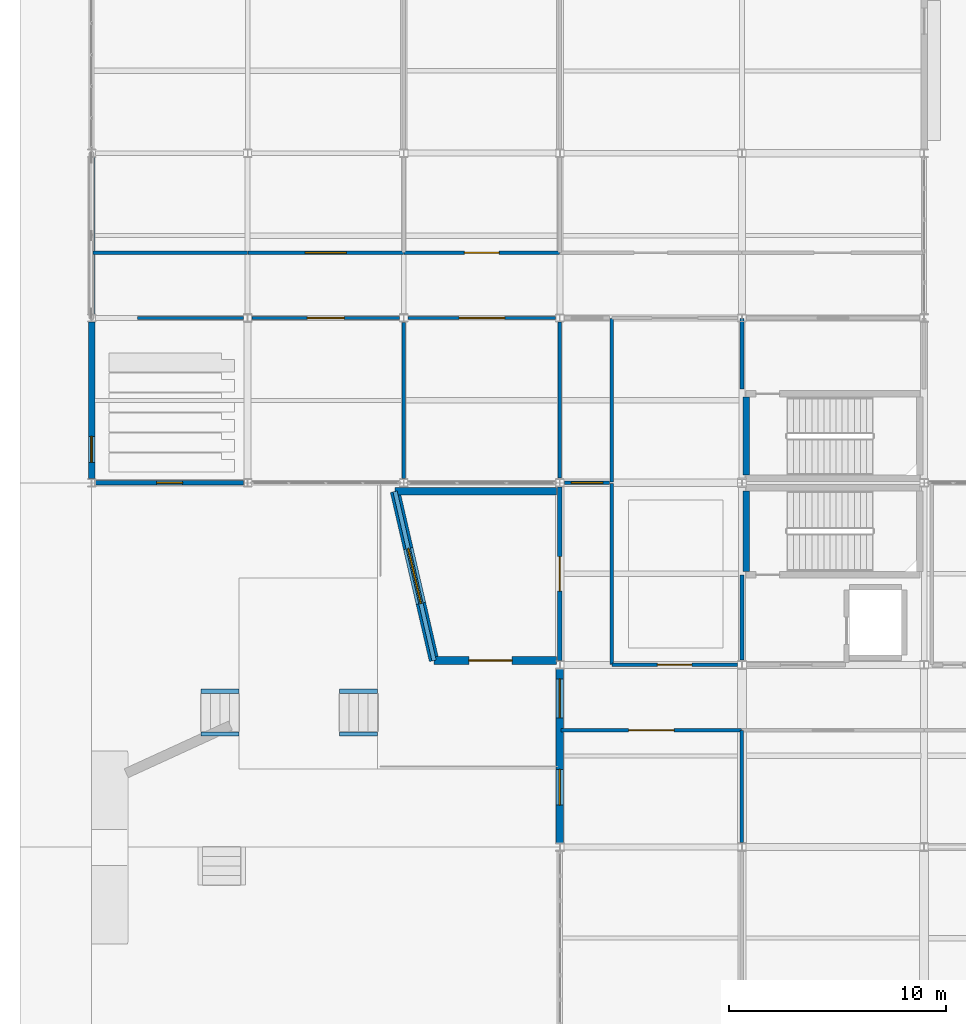
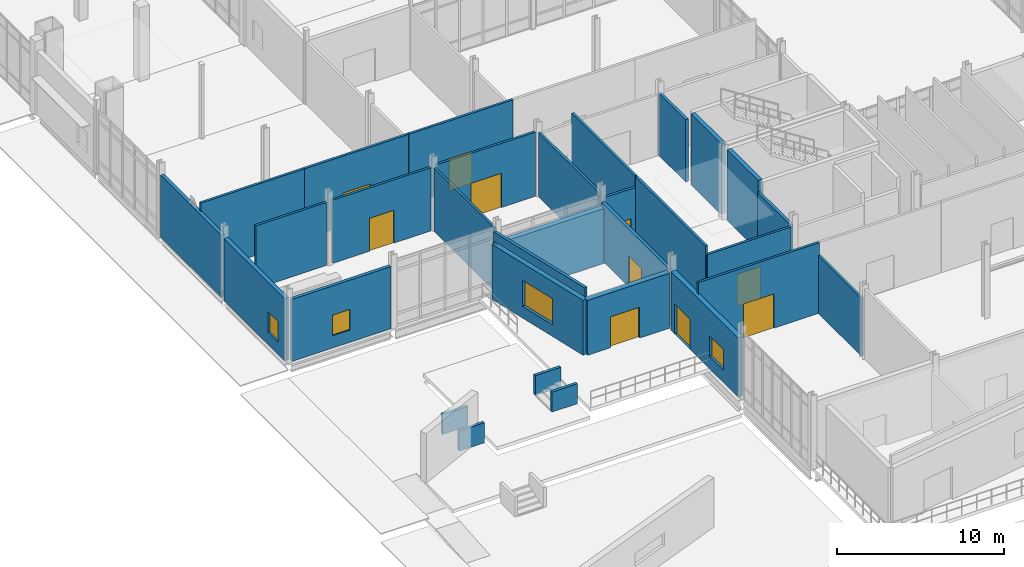
# One storey, part 189 of 229: 31 walls, 10 doors, 4 windows, 14 openings.
"""IFC4 building model written with IfcOpenShell, lengths in metres."""

from ifc_helpers import new_model, si_unit, direction, frame, frame_2d, origin, place, context, subcontext, project, spatial, rectangle, extrude, material, layer, layer_set, type_object, element, fill, save


model = new_model("IFC4")

# Units and contexts
model_context = context("Model", 3, precision=1e-05, world=origin(), true_north=direction((0.0, 1.0)))
body_context = subcontext(model_context, "Body", "Model", "MODEL_VIEW")
ifc_project = project(units=[si_unit("LENGTHUNIT", "METRE"), si_unit("AREAUNIT", "SQUARE_METRE"), si_unit("VOLUMEUNIT", "CUBIC_METRE"), si_unit("PLANEANGLEUNIT", "RADIAN"), si_unit("MASSUNIT", "GRAM", prefix="KILO")], contexts=[model_context])

# Site, building, storey
site_placement = place(None, origin())
site = spatial("IfcSite", under=ifc_project, at=site_placement, CompositionType="ELEMENT")
building_placement = place(site_placement, origin())
building = spatial("IfcBuilding", under=site, at=building_placement, Name="Calvrana Isthmian Art Gallery", CompositionType="ELEMENT")
storey_placement = place(building_placement, origin())
storey = spatial("IfcBuildingStorey", under=building, at=storey_placement, Name="L00", CompositionType="ELEMENT", Elevation=0.0)

# Walls
ifc_material_1 = material(Name="Concrete C40/50", Category="concrete")
ifc_layer_1 = layer(ifc_material_1, 0.300048828125, Name="Concrete C40/50")
ifc_layer_set_1 = layer_set([ifc_layer_1], Name="Concrete C40/50")
wall_type_1 = type_object("IfcWallType", Name="CW-SHAFT-300", PredefinedType="SHEAR", material=ifc_layer_set_1)
wall_1_placement = place(storey_placement, frame((30.18994140625, 42.7099609375, 0.0), z_axis=(0.0, 0.0, 1.0), x_axis=(0.0, 1.0, 0.0)))
element("IfcWall", 1, at=wall_1_placement, inside=storey, type_object=wall_type_1, Name="Core C1 shear wall W L00", PredefinedType="SHEAR", context=body_context, shape_type="SweptSolid", body=[
    extrude(rectangle(XDim=3.719970703125, YDim=0.300048828125, at=frame_2d((1.85986328125, 0.0))), origin(), (0.0, 0.0, 1.0), 5.159912109375),
])
wall_2_placement = place(storey_placement, frame((30.18994140625, 47.14990234375, 0.0), z_axis=(0.0, 0.0, 1.0), x_axis=(0.0, 1.0, 0.0)))
element("IfcWall", 2, at=wall_2_placement, inside=storey, type_object=wall_type_1, Name="Core C7 shear wall W L00", PredefinedType="SHEAR", context=body_context, shape_type="SweptSolid", body=[
    extrude(rectangle(XDim=3.60009765625, YDim=0.300048828125, at=frame_2d((1.800048828125, 0.0))), origin(), (0.0, 0.0, 1.0), 5.159912109375),
])

# Wall, opening, window
ifc_material_2 = material(Name="Precast concrete C40/50", Category="concrete")
ifc_layer_2 = layer(ifc_material_2, 0.219970703125, Name="Precast concrete C40/50")
ifc_layer_set_2 = layer_set([ifc_layer_2], Name="Precast concrete C40/50")
wall_type_2 = type_object("IfcWallType", Name="EW-ACOUST-220", PredefinedType="SOLIDWALL", material=ifc_layer_set_2)
wall_3_placement = place(storey_placement, frame((7.013427734375, 46.800048828125, 0.0), z_axis=(0.0, 0.0, 1.0), x_axis=(-1.0, 0.0, 0.0)))
wall_3 = element("IfcWall", 3, at=wall_3_placement, inside=storey, type_object=wall_type_2, Name="Exterior wall EW-011", PredefinedType="SOLIDWALL", context=body_context, shape_type="SweptSolid", body=[
    extrude(rectangle(XDim=6.826904296875, YDim=0.219970703125, at=frame_2d((3.41357421875, 0.0))), origin(), (0.0, 0.0, 1.0), 4.532958984375),
])
opening_1_placement = place(wall_3_placement, frame((2.8134765625, 0.0, 0.89990234375)))
opening_1 = element("IfcOpeningElement", 4, at=opening_1_placement, cuts=wall_3, Name="Opening W-001", PredefinedType="OPENING", context=body_context, shape_type="SweptSolid", body=[
    extrude(rectangle(XDim=1.199951171875, YDim=1.5, at=frame_2d((0.60009765625, 0.75))), frame((0.0, 0.1201171875, 0.0), z_axis=(0.0, -1.0, 0.0), x_axis=(1.0, 0.0, 0.0)), (0.0, 0.0, 1.0), 0.240478515625),
])
ifc_material_3 = material(Name="Low-E laminated solar glass", Category="glass")
window_type_1 = type_object("IfcWindowType", Name="WN-G01", PartitioningType="SINGLE_PANEL", PredefinedType="WINDOW", material=ifc_material_3)
window_1_placement = place(opening_1_placement, origin())
window_1 = element("IfcWindow", 5, at=window_1_placement, inside=storey, type_object=window_type_1, Name="Facade window W-001", OverallHeight=1.5, OverallWidth=1.199951171875, PartitioningType="SINGLE_PANEL", PredefinedType="WINDOW", context=body_context, shape_type="SweptSolid", body=[
    extrude(rectangle(XDim=1.199951171875, YDim=1.5, at=frame_2d((0.60009765625, 0.75))), frame((0.0, 0.030029296875, 0.0), z_axis=(0.0, -1.0, 0.0), x_axis=(1.0, 0.0, 0.0)), (0.0, 0.0, 1.0), 0.06005859375),
])
fill(opening_1, window_1)

# Wall, opening, door
wall_4_placement = place(storey_placement, frame((21.60009765625, 38.593017578125, 0.0), z_axis=(0.0, 0.0, 1.0), x_axis=(0.0, 1.0, 0.0)))
wall_4 = element("IfcWall", 6, at=wall_4_placement, inside=storey, type_object=wall_type_2, Name="Exterior wall EW-035", PredefinedType="SOLIDWALL", context=body_context, shape_type="SweptSolid", body=[
    extrude(rectangle(XDim=8.010009765625, YDim=0.219970703125, at=frame_2d((4.0048828125, 0.0))), origin(), (0.0, 0.0, 1.0), 4.212890625),
])
opening_2_placement = place(wall_4_placement, frame((3.205078125, 0.0, 0.0)))
opening_2 = element("IfcOpeningElement", 7, at=opening_2_placement, cuts=wall_4, Name="Opening D-PNW1", PredefinedType="OPENING", context=body_context, shape_type="SweptSolid", body=[
    extrude(rectangle(XDim=1.60009765625, YDim=2.25, at=frame_2d((0.800048828125, 1.125))), frame((0.0, 0.1201171875, 0.0), z_axis=(0.0, -1.0, 0.0), x_axis=(1.0, 0.0, 0.0)), (0.0, 0.0, 1.0), 0.240478515625),
])
ifc_material_4 = material(Name="Anodized bronze aluminium 6063-T6", Category="aluminium")
door_type_1 = type_object("IfcDoorType", Name="DR-EXT-TER-1600", OperationType="DOUBLE_DOOR_SINGLE_SWING", PredefinedType="DOOR", material=ifc_material_4)
door_1_placement = place(opening_2_placement, origin())
door_1 = element("IfcDoor", 8, at=door_1_placement, inside=storey, type_object=door_type_1, Name="Sunken base foyer link door PAV_EDU_NW-1", OperationType="DOUBLE_DOOR_SINGLE_SWING", OverallHeight=2.25, OverallWidth=1.60009765625, PredefinedType="DOOR", context=body_context, shape_type="SweptSolid", body=[
    extrude(rectangle(XDim=1.60009765625, YDim=2.25, at=frame_2d((0.800048828125, 1.125))), frame((0.0, 0.02490234375, 0.0), z_axis=(0.0, -1.0, 0.0), x_axis=(1.0, 0.0, 0.0)), (0.0, 0.0, 1.0), 0.050048828125),
])
fill(opening_2, door_1)

# Wall, opening, window
ifc_material_5 = material(Name="Pale Isthmian limestone", Category="masonry")
ifc_layer_3 = layer(ifc_material_5, 0.300048828125, Name="Pale Isthmian limestone")
ifc_layer_set_3 = layer_set([ifc_layer_3], Name="Pale Isthmian limestone")
wall_type_3 = type_object("IfcWallType", Name="EW-LIME-300", PredefinedType="SOLIDWALL", material=ifc_layer_set_3)
wall_5_placement = place(storey_placement, frame((0.0, 46.986572265625, 0.0), z_axis=(0.0, 0.0, 1.0), x_axis=(0.0, 1.0, 0.0)))
wall_5 = element("IfcWall", 9, at=wall_5_placement, inside=storey, type_object=wall_type_3, Name="Exterior wall EW-028", PredefinedType="SOLIDWALL", context=body_context, shape_type="SweptSolid", body=[
    extrude(rectangle(XDim=7.2353515625, YDim=0.300048828125, at=frame_2d((3.61767578125, 0.0))), origin(), (0.0, 0.0, 1.0), 4.528076171875),
])
opening_3_placement = place(wall_5_placement, frame((0.75, 0.0, 0.89990234375)))
opening_3 = element("IfcOpeningElement", 10, at=opening_3_placement, cuts=wall_5, Name="Opening W-002", PredefinedType="OPENING", context=body_context, shape_type="SweptSolid", body=[
    extrude(rectangle(XDim=1.199951171875, YDim=1.5, at=frame_2d((0.60009765625, 0.75))), frame((0.0, 0.16015625, 0.0), z_axis=(0.0, -1.0, 0.0), x_axis=(1.0, 0.0, 0.0)), (0.0, 0.0, 1.0), 0.320556640625),
])
window_2_placement = place(opening_3_placement, origin())
window_2 = element("IfcWindow", 11, at=window_2_placement, inside=storey, type_object=window_type_1, Name="Facade window W-002", OverallHeight=1.5, OverallWidth=1.199951171875, PartitioningType="SINGLE_PANEL", PredefinedType="WINDOW", context=body_context, shape_type="SweptSolid", body=[
    extrude(rectangle(XDim=1.199951171875, YDim=1.5, at=frame_2d((0.60009765625, 0.75))), frame((0.0, 0.030029296875, 0.0), z_axis=(0.0, -1.0, 0.0), x_axis=(1.0, 0.0, 0.0)), (0.0, 0.0, 1.0), 0.06005859375),
])
fill(opening_3, window_2)

# Wall, openings, door, window
ifc_layer_4 = layer(ifc_material_2, 0.35009765625, Name="Precast concrete C40/50")
ifc_layer_set_4 = layer_set([ifc_layer_4], Name="Precast concrete C40/50")
wall_type_4 = type_object("IfcWallType", Name="EW-PREC-350", PredefinedType="SOLIDWALL", material=ifc_layer_set_4)
wall_6_placement = place(storey_placement, frame((21.60009765625, 30.1904296875, 0.0), z_axis=(0.0, 0.0, 1.0), x_axis=(0.0, 1.0, 0.0)))
wall_6 = element("IfcWall", 12, at=wall_6_placement, inside=storey, type_object=wall_type_4, Name="Exterior wall EW-034", PredefinedType="SOLIDWALL", context=body_context, shape_type="SweptSolid", body=[
    extrude(rectangle(XDim=8.0166015625, YDim=0.35009765625, at=frame_2d((4.00830078125, 0.0))), origin(), (0.0, 0.0, 1.0), 4.283935546875),
])
opening_4_placement = place(wall_6_placement, frame((5.759521484375, 0.0, 0.0)))
opening_4 = element("IfcOpeningElement", 13, at=opening_4_placement, cuts=wall_6, Name="Opening D-E22", PredefinedType="OPENING", context=body_context, shape_type="SweptSolid", body=[
    extrude(rectangle(XDim=1.800048828125, YDim=2.199951171875, at=frame_2d((0.89990234375, 1.10009765625))), frame((0.0, 0.185302734375, 0.0), z_axis=(0.0, -1.0, 0.0), x_axis=(1.0, 0.0, 0.0)), (0.0, 0.0, 1.0), 0.37060546875),
])
opening_5_placement = place(wall_6_placement, frame((1.734619140625, 0.0, 0.89990234375)))
opening_5 = element("IfcOpeningElement", 14, at=opening_5_placement, cuts=wall_6, Name="Opening W-007", PredefinedType="OPENING", context=body_context, shape_type="SweptSolid", body=[
    extrude(rectangle(XDim=1.64990234375, YDim=1.5, at=frame_2d((0.824951171875, 0.75))), frame((0.0, 0.185302734375, 0.0), z_axis=(0.0, -1.0, 0.0), x_axis=(1.0, 0.0, 0.0)), (0.0, 0.0, 1.0), 0.37060546875),
])
ifc_material_6 = material(Name="Steel ASTM A572 Gr 50", Category="steel")
door_type_2 = type_object("IfcDoorType", Name="DR-EXT-EXIT-1800", OperationType="DOUBLE_DOOR_SINGLE_SWING", PredefinedType="DOOR", material=ifc_material_6)
door_2_placement = place(opening_4_placement, origin())
door_2 = element("IfcDoor", 15, at=door_2_placement, inside=storey, type_object=door_type_2, Name="Protected corridor final exit D-E22", OperationType="DOUBLE_DOOR_SINGLE_SWING", OverallHeight=2.199951171875, OverallWidth=1.800048828125, PredefinedType="DOOR", context=body_context, shape_type="SweptSolid", body=[
    extrude(rectangle(XDim=1.800048828125, YDim=2.199951171875, at=frame_2d((0.89990234375, 1.10009765625))), frame((0.0, 0.02490234375, 0.0), z_axis=(0.0, -1.0, 0.0), x_axis=(1.0, 0.0, 0.0)), (0.0, 0.0, 1.0), 0.050048828125),
])
fill(opening_4, door_2)
window_type_2 = type_object("IfcWindowType", Name="WN-G04", PartitioningType="SINGLE_PANEL", PredefinedType="WINDOW", material=ifc_material_3)
window_3_placement = place(opening_5_placement, origin())
window_3 = element("IfcWindow", 16, at=window_3_placement, inside=storey, type_object=window_type_2, Name="Facade window W-007", OverallHeight=1.5, OverallWidth=1.64990234375, PartitioningType="SINGLE_PANEL", PredefinedType="WINDOW", context=body_context, shape_type="SweptSolid", body=[
    extrude(rectangle(XDim=1.64990234375, YDim=1.5, at=frame_2d((0.824951171875, 0.75))), frame((0.0, 0.030029296875, 0.0), z_axis=(0.0, -1.0, 0.0), x_axis=(1.0, 0.0, 0.0)), (0.0, 0.0, 1.0), 0.06005859375),
])
fill(opening_5, window_3)

# Wall
ifc_material_7 = material(Name="Polychrome glazed terracotta", Category="masonry")
ifc_layer_5 = layer(ifc_material_7, 0.25, Name="Polychrome glazed terracotta")
ifc_layer_set_5 = layer_set([ifc_layer_5], Name="Polychrome glazed terracotta")
wall_type_5 = type_object("IfcWallType", Name="EW-TERRA-250", PredefinedType="SOLIDWALL", material=ifc_layer_set_5)
wall_7_placement = place(storey_placement, frame((0.0, 54.577880859375, 0.0), z_axis=(0.0, 0.0, 1.0), x_axis=(0.0, 1.0, 0.0)))
element("IfcWall", 17, at=wall_7_placement, inside=storey, type_object=wall_type_5, Name="Exterior wall EW-029", PredefinedType="SOLIDWALL", context=body_context, shape_type="SweptSolid", body=[
    extrude(rectangle(XDim=7.24072265625, YDim=0.25, at=frame_2d((3.620361328125, 0.0))), origin(), (0.0, 0.0, 1.0), 4.532958984375),
])

# Wall, opening, door
ifc_material_8 = material(Name="Acoustic gypsum ceiling", Category="gypsum")
ifc_layer_6 = layer(ifc_material_8, 0.179931640625, Name="Acoustic gypsum ceiling")
ifc_layer_set_6 = layer_set([ifc_layer_6], Name="Acoustic gypsum ceiling")
wall_type_6 = type_object("IfcWallType", Name="PW-CORR-180", PredefinedType="PARTITIONING", material=ifc_layer_set_6)
wall_8_placement = place(storey_placement, frame((23.89990234375, 46.800048828125, 0.0), z_axis=(0.0, 0.0, 1.0), x_axis=(-1.0, 0.0, 0.0)))
wall_8 = element("IfcWall", 18, at=wall_8_placement, inside=storey, type_object=wall_type_6, Name="Interior partition PW-296", PredefinedType="PARTITIONING", context=body_context, shape_type="SweptSolid", body=[
    extrude(rectangle(XDim=2.079833984375, YDim=0.179931640625, at=frame_2d((1.0400390625, 0.0))), origin(), (0.0, 0.0, 1.0), 4.3779296875),
])
opening_6_placement = place(wall_8_placement, frame((0.31494140625, 0.0, 0.0)))
opening_6 = element("IfcOpeningElement", 19, at=opening_6_placement, cuts=wall_8, Name="Opening D-348", PredefinedType="OPENING", context=body_context, shape_type="SweptSolid", body=[
    extrude(rectangle(XDim=1.449951171875, YDim=2.199951171875, at=frame_2d((0.72509765625, 1.10009765625))), frame((0.0, 0.10009765625, 0.0), z_axis=(0.0, -1.0, 0.0), x_axis=(1.0, 0.0, 0.0)), (0.0, 0.0, 1.0), 0.200439453125),
])
door_type_3 = type_object("IfcDoorType", Name="DR-LOBBY-1450", OperationType="DOUBLE_DOOR_SINGLE_SWING", PredefinedType="DOOR", material=ifc_material_6)
door_3_placement = place(opening_6_placement, origin())
door_3 = element("IfcDoor", 20, at=door_3_placement, inside=storey, type_object=door_type_3, Name="Interior door D-348", OperationType="DOUBLE_DOOR_SINGLE_SWING", OverallHeight=2.199951171875, OverallWidth=1.449951171875, PredefinedType="DOOR", context=body_context, shape_type="SweptSolid", body=[
    extrude(rectangle(XDim=1.449951171875, YDim=2.199951171875, at=frame_2d((0.72509765625, 1.10009765625))), frame((0.0, 0.02490234375, 0.0), z_axis=(0.0, -1.0, 0.0), x_axis=(1.0, 0.0, 0.0)), (0.0, 0.0, 1.0), 0.050048828125),
])
fill(opening_6, door_3)

# Walls
ifc_layer_7 = layer(ifc_material_8, 0.199951171875, Name="Acoustic gypsum ceiling")
ifc_layer_set_7 = layer_set([ifc_layer_7], Name="Acoustic gypsum ceiling")
wall_type_7 = type_object("IfcWallType", Name="PW-FIRE-200", PredefinedType="PARTITIONING", material=ifc_layer_set_7)
wall_9_placement = place(storey_placement, frame((30.0, 38.6201171875, 0.0), z_axis=(0.0, 0.0, 1.0), x_axis=(0.0, 1.0, 0.0)))
element("IfcWall", 21, at=wall_9_placement, inside=storey, type_object=wall_type_7, Name="Core C1 lobby west closure L00", PredefinedType="PARTITIONING", context=body_context, shape_type="SweptSolid", body=[
    extrude(rectangle(XDim=3.919921875, YDim=0.199951171875, at=frame_2d((1.9599609375, 0.0))), origin(), (0.0, 0.0, 1.0), 4.447021484375),
])
wall_10_placement = place(storey_placement, frame((30.0, 51.1201171875, 0.0), z_axis=(0.0, 0.0, 1.0), x_axis=(0.0, 1.0, 0.0)))
element("IfcWall", 22, at=wall_10_placement, inside=storey, type_object=wall_type_7, Name="Core C7 lobby W closure L00", PredefinedType="PARTITIONING", context=body_context, shape_type="SweptSolid", body=[
    extrude(rectangle(XDim=3.259765625, YDim=0.199951171875, at=frame_2d((1.6298828125, 0.0))), origin(), (0.0, 0.0, 1.0), 4.528076171875),
])

# Wall, opening, door
ifc_layer_8 = layer(ifc_material_8, 0.159912109375, Name="Acoustic gypsum ceiling")
ifc_layer_set_8 = layer_set([ifc_layer_8], Name="Acoustic gypsum ceiling")
wall_type_8 = type_object("IfcWallType", Name="PW-GAL-160", PredefinedType="PARTITIONING", material=ifc_layer_set_8)
wall_11_placement = place(storey_placement, frame((21.659912109375, 35.389892578125, 0.0), z_axis=(0.0, 0.0, 1.0), x_axis=(1.0, 0.0, 0.0)))
wall_11 = element("IfcWall", 23, at=wall_11_placement, inside=storey, type_object=wall_type_8, Name="Interior partition PW-077", PredefinedType="PARTITIONING", context=body_context, shape_type="SweptSolid", body=[
    extrude(rectangle(XDim=8.330078125, YDim=0.159912109375, at=frame_2d((4.1650390625, 0.0))), origin(), (0.0, 0.0, 1.0), 5.139892578125),
])
opening_7_placement = place(wall_11_placement, frame((3.114990234375, 0.0, 0.0)))
opening_7 = element("IfcOpeningElement", 24, at=opening_7_placement, cuts=wall_11, Name="Opening D-235", PredefinedType="OPENING", context=body_context, shape_type="SweptSolid", body=[
    extrude(rectangle(XDim=2.10009765625, YDim=2.5, at=frame_2d((1.050048828125, 1.25))), frame((0.0, 0.09033203125, 0.0), z_axis=(0.0, -1.0, 0.0), x_axis=(1.0, 0.0, 0.0)), (0.0, 0.0, 1.0), 0.180419921875),
])
ifc_material_9 = material(Name="Timber gallery flooring", Category="wood")
door_type_4 = type_object("IfcDoorType", Name="DR-GAL-2100", OperationType="DOUBLE_DOOR_SINGLE_SWING", PredefinedType="DOOR", material=ifc_material_9)
door_4_placement = place(opening_7_placement, origin())
door_4 = element("IfcDoor", 25, at=door_4_placement, inside=storey, type_object=door_type_4, Name="Interior door D-235", OperationType="DOUBLE_DOOR_SINGLE_SWING", OverallHeight=2.5, OverallWidth=2.10009765625, PredefinedType="DOOR", context=body_context, shape_type="SweptSolid", body=[
    extrude(rectangle(XDim=2.10009765625, YDim=2.5, at=frame_2d((1.050048828125, 1.25))), frame((0.0, 0.02490234375, 0.0), z_axis=(0.0, -1.0, 0.0), x_axis=(1.0, 0.0, 0.0)), (0.0, 0.0, 1.0), 0.050048828125),
])
fill(opening_7, door_4)

# Walls
wall_12_placement = place(storey_placement, frame((30.0, 30.202880859375, 0.0), z_axis=(0.0, 0.0, 1.0), x_axis=(0.0, 1.0, 0.0)))
element("IfcWall", 26, at=wall_12_placement, inside=storey, type_object=wall_type_8, Name="Interior partition PW-079", PredefinedType="PARTITIONING", context=body_context, shape_type="SweptSolid", body=[
    extrude(rectangle(XDim=5.177001953125, YDim=0.159912109375, at=frame_2d((2.58837890625, 0.0))), origin(), (0.0, 0.0, 1.0), 4.212890625),
])
wall_13_placement = place(storey_placement, frame((24.0, 38.419921875, 0.0), z_axis=(0.0, 0.0, 1.0), x_axis=(0.0, 1.0, 0.0)))
element("IfcWall", 27, at=wall_13_placement, inside=storey, type_object=wall_type_8, Name="Interior partition PW-092", PredefinedType="PARTITIONING", context=body_context, shape_type="SweptSolid", body=[
    extrude(rectangle(XDim=8.340087890625, YDim=0.159912109375, at=frame_2d((4.169921875, 0.0))), origin(), (0.0, 0.0, 1.0), 5.139892578125),
])

# Wall, opening, door
wall_14_placement = place(storey_placement, frame((24.0, 38.39990234375, 0.0), z_axis=(0.0, 0.0, 1.0), x_axis=(1.0, 0.0, 0.0)))
wall_14 = element("IfcWall", 28, at=wall_14_placement, inside=storey, type_object=wall_type_8, Name="Interior partition PW-093", PredefinedType="PARTITIONING", context=body_context, shape_type="SweptSolid", body=[
    extrude(rectangle(XDim=5.787109375, YDim=0.159912109375, at=frame_2d((2.8935546875, 0.0))), origin(), (0.0, 0.0, 1.0), 4.528076171875),
])
opening_8_placement = place(wall_14_placement, frame((2.093505859375, 0.0, 0.0)))
opening_8 = element("IfcOpeningElement", 29, at=opening_8_placement, cuts=wall_14, Name="Opening D-242", PredefinedType="OPENING", context=body_context, shape_type="SweptSolid", body=[
    extrude(rectangle(XDim=1.60009765625, YDim=2.35009765625, at=frame_2d((0.800048828125, 1.175048828125))), frame((0.0, 0.09033203125, 0.0), z_axis=(0.0, -1.0, 0.0), x_axis=(1.0, 0.0, 0.0)), (0.0, 0.0, 1.0), 0.180419921875),
])
door_type_5 = type_object("IfcDoorType", Name="DR-GAL-1600", OperationType="DOUBLE_DOOR_SINGLE_SWING", PredefinedType="DOOR", material=ifc_material_9)
door_5_placement = place(opening_8_placement, origin())
door_5 = element("IfcDoor", 30, at=door_5_placement, inside=storey, type_object=door_type_5, Name="Interior door D-242", OperationType="DOUBLE_DOOR_SINGLE_SWING", OverallHeight=2.35009765625, OverallWidth=1.60009765625, PredefinedType="DOOR", context=body_context, shape_type="SweptSolid", body=[
    extrude(rectangle(XDim=1.60009765625, YDim=2.35009765625, at=frame_2d((0.800048828125, 1.175048828125))), frame((0.0, 0.02490234375, 0.0), z_axis=(0.0, -1.0, 0.0), x_axis=(1.0, 0.0, 0.0)), (0.0, 0.0, 1.0), 0.050048828125),
])
fill(opening_8, door_5)

# Wall
wall_15_placement = place(storey_placement, frame((2.1201171875, 54.39990234375, 0.0), z_axis=(0.0, 0.0, 1.0), x_axis=(1.0, 0.0, 0.0)))
element("IfcWall", 31, at=wall_15_placement, inside=storey, type_object=wall_type_8, Name="Interior partition PW-163", PredefinedType="PARTITIONING", context=body_context, shape_type="SweptSolid", body=[
    extrude(rectangle(XDim=4.87841796875, YDim=0.159912109375, at=frame_2d((2.439208984375, 0.0))), origin(), (0.0, 0.0, 1.0), 4.591064453125),
])

# Wall, opening, door
wall_16_placement = place(storey_placement, frame((7.401611328125, 54.39990234375, 0.0), z_axis=(0.0, 0.0, 1.0), x_axis=(1.0, 0.0, 0.0)))
wall_16 = element("IfcWall", 32, at=wall_16_placement, inside=storey, type_object=wall_type_8, Name="Interior partition PW-164", PredefinedType="PARTITIONING", context=body_context, shape_type="SweptSolid", body=[
    extrude(rectangle(XDim=6.796875, YDim=0.159912109375, at=frame_2d((3.3984375, 0.0))), origin(), (0.0, 0.0, 1.0), 4.60693359375),
])
opening_9_placement = place(wall_16_placement, frame((2.548583984375, 0.0, 0.0)))
opening_9 = element("IfcOpeningElement", 33, at=opening_9_placement, cuts=wall_16, Name="Opening D-278", PredefinedType="OPENING", context=body_context, shape_type="SweptSolid", body=[
    extrude(rectangle(XDim=1.699951171875, YDim=2.39990234375, at=frame_2d((0.85009765625, 1.199951171875))), frame((0.0, 0.09033203125, 0.0), z_axis=(0.0, -1.0, 0.0), x_axis=(1.0, 0.0, 0.0)), (0.0, 0.0, 1.0), 0.180419921875),
])
door_type_6 = type_object("IfcDoorType", Name="DR-GAL-1700", OperationType="DOUBLE_DOOR_SINGLE_SWING", PredefinedType="DOOR", material=ifc_material_9)
door_6_placement = place(opening_9_placement, origin())
door_6 = element("IfcDoor", 34, at=door_6_placement, inside=storey, type_object=door_type_6, Name="Interior door D-278", OperationType="DOUBLE_DOOR_SINGLE_SWING", OverallHeight=2.39990234375, OverallWidth=1.699951171875, PredefinedType="DOOR", context=body_context, shape_type="SweptSolid", body=[
    extrude(rectangle(XDim=1.699951171875, YDim=2.39990234375, at=frame_2d((0.85009765625, 1.199951171875))), frame((0.0, 0.02490234375, 0.0), z_axis=(0.0, -1.0, 0.0), x_axis=(1.0, 0.0, 0.0)), (0.0, 0.0, 1.0), 0.050048828125),
])
fill(opening_9, door_6)

# Wall
wall_17_placement = place(storey_placement, frame((14.39990234375, 46.99658203125, 0.0), z_axis=(0.0, 0.0, 1.0), x_axis=(0.0, 1.0, 0.0)))
element("IfcWall", 35, at=wall_17_placement, inside=storey, type_object=wall_type_8, Name="Interior partition PW-165", PredefinedType="PARTITIONING", context=body_context, shape_type="SweptSolid", body=[
    extrude(rectangle(XDim=7.204345703125, YDim=0.159912109375, at=frame_2d((3.60205078125, 0.0))), origin(), (0.0, 0.0, 1.0), 4.60693359375),
])

# Wall, opening, door
wall_18_placement = place(storey_placement, frame((14.6015625, 54.39990234375, 0.0), z_axis=(0.0, 0.0, 1.0), x_axis=(1.0, 0.0, 0.0)))
wall_18 = element("IfcWall", 36, at=wall_18_placement, inside=storey, type_object=wall_type_8, Name="Interior partition PW-166", PredefinedType="PARTITIONING", context=body_context, shape_type="SweptSolid", body=[
    extrude(rectangle(XDim=6.7978515625, YDim=0.159912109375, at=frame_2d((3.39892578125, 0.0))), origin(), (0.0, 0.0, 1.0), 4.677978515625),
])
opening_10_placement = place(wall_18_placement, frame((2.34912109375, 0.0, 0.0)))
opening_10 = element("IfcOpeningElement", 37, at=opening_10_placement, cuts=wall_18, Name="Opening D-279", PredefinedType="OPENING", context=body_context, shape_type="SweptSolid", body=[
    extrude(rectangle(XDim=2.10009765625, YDim=2.5, at=frame_2d((1.050048828125, 1.25))), frame((0.0, 0.09033203125, 0.0), z_axis=(0.0, -1.0, 0.0), x_axis=(1.0, 0.0, 0.0)), (0.0, 0.0, 1.0), 0.180419921875),
])
door_7_placement = place(opening_10_placement, origin())
door_7 = element("IfcDoor", 38, at=door_7_placement, inside=storey, type_object=door_type_4, Name="Interior door D-279", OperationType="DOUBLE_DOOR_SINGLE_SWING", OverallHeight=2.5, OverallWidth=2.10009765625, PredefinedType="DOOR", context=body_context, shape_type="SweptSolid", body=[
    extrude(rectangle(XDim=2.10009765625, YDim=2.5, at=frame_2d((1.050048828125, 1.25))), frame((0.0, 0.02490234375, 0.0), z_axis=(0.0, -1.0, 0.0), x_axis=(1.0, 0.0, 0.0)), (0.0, 0.0, 1.0), 0.050048828125),
])
fill(opening_10, door_7)

# Walls
wall_19_placement = place(storey_placement, frame((21.60009765625, 47.011962890625, 0.0), z_axis=(0.0, 0.0, 1.0), x_axis=(0.0, 1.0, 0.0)))
element("IfcWall", 39, at=wall_19_placement, inside=storey, type_object=wall_type_8, Name="Interior partition PW-167", PredefinedType="PARTITIONING", context=body_context, shape_type="SweptSolid", body=[
    extrude(rectangle(XDim=7.191650390625, YDim=0.159912109375, at=frame_2d((3.595703125, 0.0))), origin(), (0.0, 0.0, 1.0), 4.677978515625),
])
wall_20_placement = place(storey_placement, frame((24.0, 46.840087890625, 0.0), z_axis=(0.0, 0.0, 1.0), x_axis=(0.0, 1.0, 0.0)))
element("IfcWall", 40, at=wall_20_placement, inside=storey, type_object=wall_type_8, Name="Interior partition PW-168", PredefinedType="PARTITIONING", context=body_context, shape_type="SweptSolid", body=[
    extrude(rectangle(XDim=7.539794921875, YDim=0.159912109375, at=frame_2d((3.77001953125, 0.0))), origin(), (0.0, 0.0, 1.0), 5.139892578125),
])
wall_21_placement = place(storey_placement, frame((0.06005859375, 57.409912109375, 0.0), z_axis=(0.0, 0.0, 1.0), x_axis=(1.0, 0.0, 0.0)))
element("IfcWall", 41, at=wall_21_placement, inside=storey, type_object=wall_type_8, Name="Interior partition PW-170", PredefinedType="PARTITIONING", context=body_context, shape_type="SweptSolid", body=[
    extrude(rectangle(XDim=7.1298828125, YDim=0.159912109375, at=frame_2d((3.56494140625, 0.0))), origin(), (0.0, 0.0, 1.0), 5.139892578125),
])

# Wall, opening, door
wall_22_placement = place(storey_placement, frame((7.2099609375, 57.409912109375, 0.0), z_axis=(0.0, 0.0, 1.0), x_axis=(1.0, 0.0, 0.0)))
wall_22 = element("IfcWall", 42, at=wall_22_placement, inside=storey, type_object=wall_type_8, Name="Interior partition PW-171", PredefinedType="PARTITIONING", context=body_context, shape_type="SweptSolid", body=[
    extrude(rectangle(XDim=7.179931640625, YDim=0.159912109375, at=frame_2d((3.58984375, 0.0))), origin(), (0.0, 0.0, 1.0), 5.139892578125),
])
opening_11_placement = place(wall_22_placement, frame((2.639892578125, 0.0, 0.0)))
opening_11 = element("IfcOpeningElement", 43, at=opening_11_placement, cuts=wall_22, Name="Opening D-281", PredefinedType="OPENING", context=body_context, shape_type="SweptSolid", body=[
    extrude(rectangle(XDim=1.89990234375, YDim=2.449951171875, at=frame_2d((0.949951171875, 1.22509765625))), frame((0.0, 0.09033203125, 0.0), z_axis=(0.0, -1.0, 0.0), x_axis=(1.0, 0.0, 0.0)), (0.0, 0.0, 1.0), 0.180419921875),
])
door_type_7 = type_object("IfcDoorType", Name="DR-GAL-1900", OperationType="DOUBLE_DOOR_SINGLE_SWING", PredefinedType="DOOR", material=ifc_material_9)
door_8_placement = place(opening_11_placement, origin())
door_8 = element("IfcDoor", 44, at=door_8_placement, inside=storey, type_object=door_type_7, Name="Interior door D-281", OperationType="DOUBLE_DOOR_SINGLE_SWING", OverallHeight=2.449951171875, OverallWidth=1.89990234375, PredefinedType="DOOR", context=body_context, shape_type="SweptSolid", body=[
    extrude(rectangle(XDim=1.89990234375, YDim=2.449951171875, at=frame_2d((0.949951171875, 1.22509765625))), frame((0.0, 0.02490234375, 0.0), z_axis=(0.0, -1.0, 0.0), x_axis=(1.0, 0.0, 0.0)), (0.0, 0.0, 1.0), 0.050048828125),
])
fill(opening_11, door_8)

wall_23_placement = place(storey_placement, frame((14.409912109375, 57.409912109375, 0.0), z_axis=(0.0, 0.0, 1.0), x_axis=(1.0, 0.0, 0.0)))
wall_23 = element("IfcWall", 45, at=wall_23_placement, inside=storey, type_object=wall_type_8, Name="Interior partition PW-174", PredefinedType="PARTITIONING", context=body_context, shape_type="SweptSolid", body=[
    extrude(rectangle(XDim=7.18017578125, YDim=0.159912109375, at=frame_2d((3.590087890625, 0.0))), origin(), (0.0, 0.0, 1.0), 5.139892578125),
])
opening_12_placement = place(wall_23_placement, frame((2.7900390625, 0.0, 0.0)))
opening_12 = element("IfcOpeningElement", 46, at=opening_12_placement, cuts=wall_23, Name="Opening D-282", PredefinedType="OPENING", context=body_context, shape_type="SweptSolid", body=[
    extrude(rectangle(XDim=1.60009765625, YDim=2.35009765625, at=frame_2d((0.800048828125, 1.175048828125))), frame((0.0, 0.09033203125, 0.0), z_axis=(0.0, -1.0, 0.0), x_axis=(1.0, 0.0, 0.0)), (0.0, 0.0, 1.0), 0.180419921875),
])
door_9_placement = place(opening_12_placement, origin())
door_9 = element("IfcDoor", 47, at=door_9_placement, inside=storey, type_object=door_type_5, Name="Interior door D-282", OperationType="DOUBLE_DOOR_SINGLE_SWING", OverallHeight=2.35009765625, OverallWidth=1.60009765625, PredefinedType="DOOR", context=body_context, shape_type="SweptSolid", body=[
    extrude(rectangle(XDim=1.60009765625, YDim=2.35009765625, at=frame_2d((0.800048828125, 1.175048828125))), frame((0.0, 0.02490234375, 0.0), z_axis=(0.0, -1.0, 0.0), x_axis=(1.0, 0.0, 0.0)), (0.0, 0.0, 1.0), 0.050048828125),
])
fill(opening_12, door_9)

# Walls
ifc_layer_9 = layer(ifc_material_5, 0.199951171875, Name="Pale Isthmian limestone")
ifc_layer_set_9 = layer_set([ifc_layer_9], Name="Pale Isthmian limestone")
wall_type_9 = type_object("IfcWallType", Name="WL-PARA-200", PredefinedType="PARAPET", material=ifc_layer_set_9)
wall_24_placement = place(storey_placement, frame((14.0, 46.39990234375, 4.199951171875), z_axis=(0.0, 0.0, 1.0), x_axis=(0.224870644034, -0.974388625473, 0.0)))
element("IfcWall", 48, at=wall_24_placement, inside=storey, type_object=wall_type_9, Name="Sunken base roof parapet PAV_EDU_NW", PredefinedType="PARAPET", context=body_context, shape_type="SweptSolid", body=[
    extrude(rectangle(XDim=8.0048828125, YDim=0.199951171875, at=frame_2d((4.00244140625, 0.0))), origin(), (0.0, 0.0, 1.0), 0.650146484375),
])
for number, where, z_axis, x_axis, name in (
    (49, (5.0400390625, 37.18994140625, -1.199951171875), (0.0, 0.0, 1.0), (1.0, 0.0, 0.0), "Exterior terrace plinth cheek parapet L"),
    (50, (5.0400390625, 35.2099609375, -1.199951171875), (0.0, 0.0, 1.0), (1.0, 0.0, 0.0), "Exterior terrace plinth cheek parapet R"),
):
    element("IfcWall", number, at=place(storey_placement, frame(where, z_axis=z_axis, x_axis=x_axis)), inside=storey, type_object=wall_type_9, Name=name, PredefinedType="PARAPET", context=body_context, shape_type="SweptSolid", body=[
        extrude(rectangle(XDim=1.760009765625, YDim=0.199951171875, at=frame_2d((0.8798828125, 0.0))), origin(), (0.0, 0.0, 1.0), 1.449951171875),
    ])
for number, where, z_axis, x_axis, name in (
    (51, (11.43994140625, 37.18994140625, -0.60009765625), (0.0, 0.0, 1.0), (1.0, 0.0, 0.0), "Exterior terrace plinth cheek parapet L"),
    (52, (11.43994140625, 35.2099609375, -0.60009765625), (0.0, 0.0, 1.0), (1.0, 0.0, 0.0), "Exterior terrace plinth cheek parapet R"),
):
    element("IfcWall", number, at=place(storey_placement, frame(where, z_axis=z_axis, x_axis=x_axis)), inside=storey, type_object=wall_type_9, Name=name, PredefinedType="PARAPET", context=body_context, shape_type="SweptSolid", body=[
        extrude(rectangle(XDim=1.760009765625, YDim=0.199951171875, at=frame_2d((0.8798828125, 0.0))), origin(), (0.0, 0.0, 1.0), 1.4501953125),
    ])

# Wall, opening, door
ifc_layer_10 = layer(ifc_material_1, 0.35009765625, Name="Concrete C40/50")
ifc_layer_set_10 = layer_set([ifc_layer_10], Name="Concrete C40/50")
wall_type_10 = type_object("IfcWallType", Name="WL-RET-350", PredefinedType="USERDEFINED", material=ifc_layer_set_10)
wall_25_placement = place(storey_placement, frame((21.449951171875, 38.60009765625, 0.0), z_axis=(0.0, 0.0, 1.0), x_axis=(-1.0, 0.0, 0.0)))
wall_25 = element("IfcWall", 53, at=wall_25_placement, inside=storey, type_object=wall_type_10, Name="Sunken base return wall PAV_EDU_NW-1", ObjectType="RETAINING WALL", PredefinedType="USERDEFINED", context=body_context, shape_type="SweptSolid", body=[
    extrude(rectangle(XDim=5.64990234375, YDim=0.35009765625, at=frame_2d((2.824951171875, 0.0))), origin(), (0.0, 0.0, 1.0), 4.0),
])
opening_13_placement = place(wall_25_placement, frame((2.050048828125, 0.0, 0.0)))
opening_13 = element("IfcOpeningElement", 54, at=opening_13_placement, cuts=wall_25, Name="Opening D-E21", PredefinedType="OPENING", context=body_context, shape_type="SweptSolid", body=[
    extrude(rectangle(XDim=2.0, YDim=2.25, at=frame_2d((1.0, 1.125))), frame((0.0, 0.185302734375, 0.0), z_axis=(0.0, -1.0, 0.0), x_axis=(1.0, 0.0, 0.0)), (0.0, 0.0, 1.0), 0.37060546875),
])
door_type_8 = type_object("IfcDoorType", Name="DR-EXT-EXIT-2000", OperationType="DOUBLE_DOOR_SINGLE_SWING", PredefinedType="DOOR", material=ifc_material_6)
door_10_placement = place(opening_13_placement, origin())
door_10 = element("IfcDoor", 55, at=door_10_placement, inside=storey, type_object=door_type_8, Name="Sunken forecourt entrance D-E21", OperationType="DOUBLE_DOOR_SINGLE_SWING", OverallHeight=2.25, OverallWidth=2.0, PredefinedType="DOOR", context=body_context, shape_type="SweptSolid", body=[
    extrude(rectangle(XDim=2.0, YDim=2.25, at=frame_2d((1.0, 1.125))), frame((0.0, 0.02490234375, 0.0), z_axis=(0.0, -1.0, 0.0), x_axis=(1.0, 0.0, 0.0)), (0.0, 0.0, 1.0), 0.050048828125),
])
fill(opening_13, door_10)

# Wall
wall_26_placement = place(storey_placement, frame((21.449951171875, 46.39990234375, 0.0), z_axis=(0.0, 0.0, 1.0), x_axis=(-1.0, 0.0, 0.0)))
element("IfcWall", 56, at=wall_26_placement, inside=storey, type_object=wall_type_10, Name="Sunken base return wall PAV_EDU_NW-2", ObjectType="RETAINING WALL", PredefinedType="USERDEFINED", context=body_context, shape_type="SweptSolid", body=[
    extrude(rectangle(XDim=7.449951171875, YDim=0.35009765625, at=frame_2d((3.72509765625, 0.0))), origin(), (0.0, 0.0, 1.0), 4.0),
])

# Wall, opening, window
ifc_layer_11 = layer(ifc_material_1, 0.449951171875, Name="Concrete C40/50")
ifc_layer_set_11 = layer_set([ifc_layer_11], Name="Concrete C40/50")
wall_type_11 = type_object("IfcWallType", Name="WL-RET-450", PredefinedType="USERDEFINED", material=ifc_layer_set_11)
wall_27_placement = place(storey_placement, frame((14.0, 46.39990234375, 0.0), z_axis=(0.0, 0.0, 1.0), x_axis=(0.224870644034, -0.974388625473, 0.0)))
wall_27 = element("IfcWall", 57, at=wall_27_placement, inside=storey, type_object=wall_type_11, Name="Angled architectural concrete base wall ACW-03", ObjectType="RETAINING WALL", PredefinedType="USERDEFINED", context=body_context, shape_type="SweptSolid", body=[
    extrude(rectangle(XDim=8.0048828125, YDim=0.449951171875, at=frame_2d((4.00244140625, 0.0))), origin(), (0.0, 0.0, 1.0), 4.0),
])
opening_14_placement = place(wall_27_placement, frame((2.702392578125, 0.0, 0.85009765625)))
opening_14 = element("IfcOpeningElement", 58, at=opening_14_placement, cuts=wall_27, Name="Opening W-503", PredefinedType="OPENING", context=body_context, shape_type="SweptSolid", body=[
    extrude(rectangle(XDim=2.60009765625, YDim=1.89990234375, at=frame_2d((1.300048828125, 0.949951171875))), frame((0.0, 0.2353515625, 0.0), z_axis=(0.0, -1.0, 0.0), x_axis=(1.0, 0.0, 0.0)), (0.0, 0.0, 1.0), 0.470458984375),
])
window_type_3 = type_object("IfcWindowType", Name="WN-S01", PartitioningType="DOUBLE_PANEL_VERTICAL", PredefinedType="WINDOW", material=ifc_material_3)
window_4_placement = place(opening_14_placement, origin())
window_4 = element("IfcWindow", 59, at=window_4_placement, inside=storey, type_object=window_type_3, Name="Sunken forecourt window W-503", OverallHeight=1.89990234375, OverallWidth=2.60009765625, PartitioningType="SINGLE_PANEL", PredefinedType="WINDOW", context=body_context, shape_type="SweptSolid", body=[
    extrude(rectangle(XDim=2.60009765625, YDim=1.89990234375, at=frame_2d((1.300048828125, 0.949951171875))), frame((0.0, 0.030029296875, 0.0), z_axis=(0.0, -1.0, 0.0), x_axis=(1.0, 0.0, 0.0)), (0.0, 0.0, 1.0), 0.06005859375),
])
fill(opening_14, window_4)

save(model, "model.ifc")
